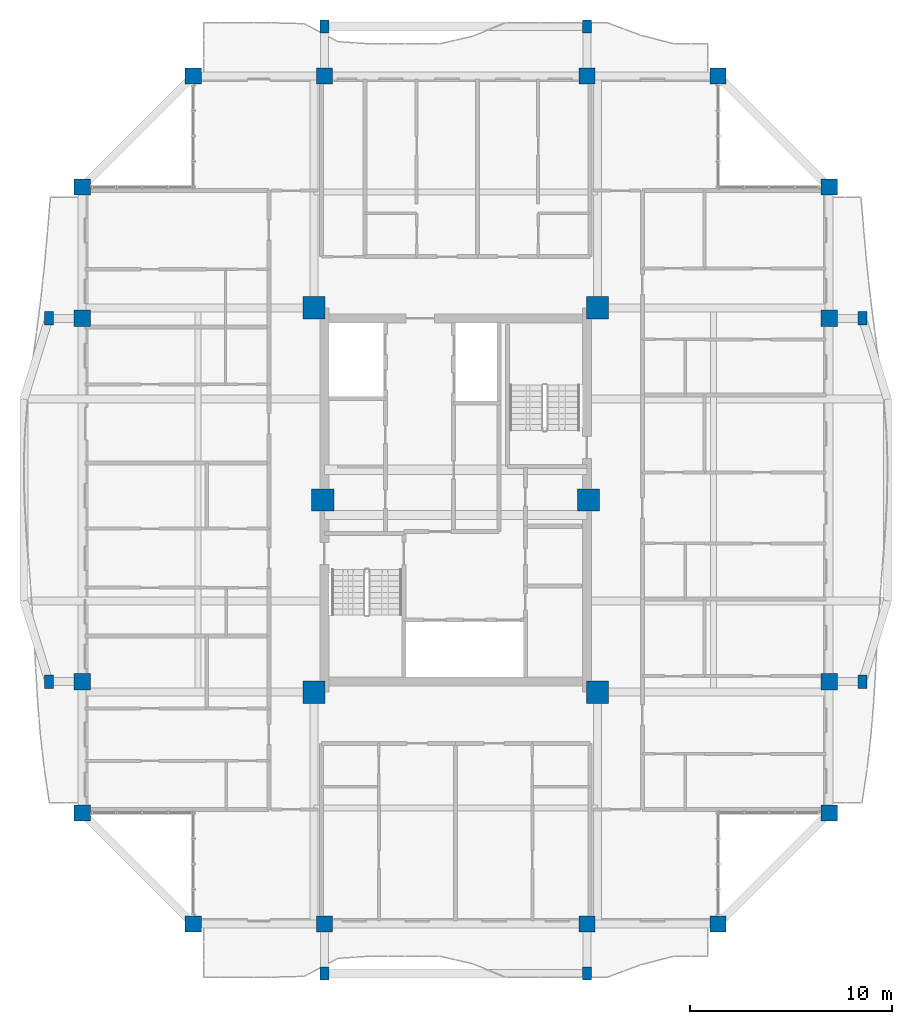
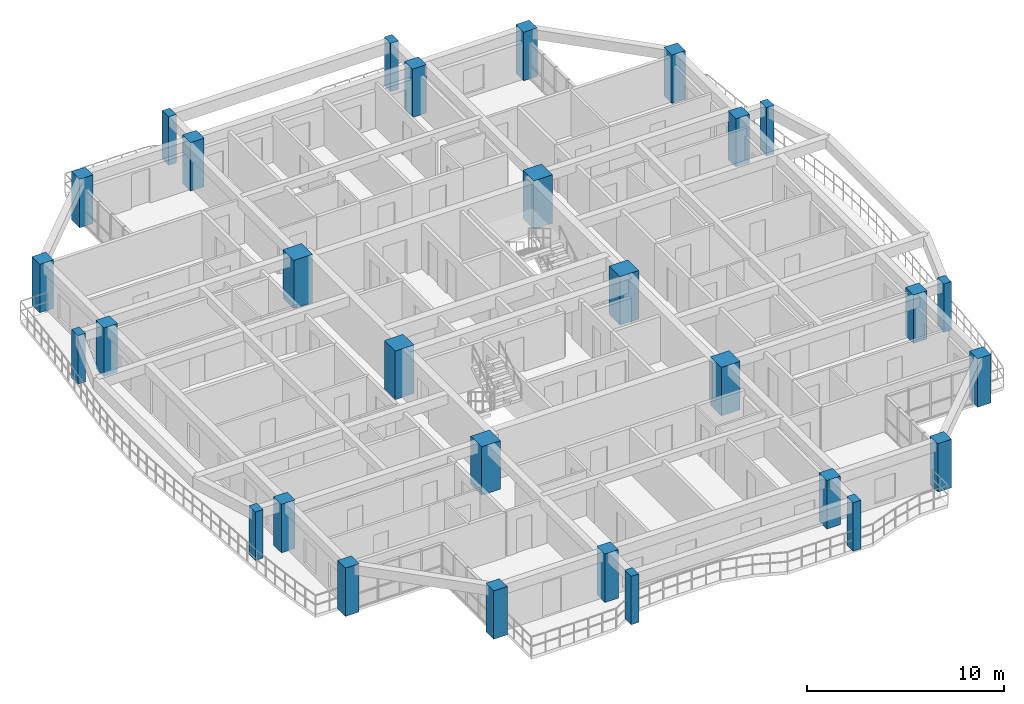
# One storey, part 1 of 22: 30 columns.
"""IFC4 building model written with IfcOpenShell, lengths in metres."""

from ifc_helpers import new_model, si_unit, direction, frame, origin, origin_2d, place, context, subcontext, project, spatial, rectangle, extrude, source, transform, mapped, material, material_profile, profile_set, type_object, element, save


model = new_model("IFC4")

# Units and contexts
model_context = context("Model", 3, precision=1e-05, world=origin(), true_north=direction((0.0, 1.0)))
body_context = subcontext(model_context, "Body", "Model", "MODEL_VIEW")
ifc_project = project(units=[si_unit("LENGTHUNIT", "METRE"), si_unit("AREAUNIT", "SQUARE_METRE"), si_unit("VOLUMEUNIT", "CUBIC_METRE"), si_unit("PLANEANGLEUNIT", "RADIAN"), si_unit("MASSUNIT", "GRAM", prefix="KILO")], contexts=[model_context])

# Site, building, storey
site_placement = place(None, origin())
site = spatial("IfcSite", under=ifc_project, at=site_placement, CompositionType="ELEMENT")
building_placement = place(site_placement, origin())
building = spatial("IfcBuilding", under=site, at=building_placement, Name="Saelheon Loggia Tower", CompositionType="ELEMENT")
storey_placement = place(building_placement, frame((0.0, 0.0, 196.60009765625)))
storey = spatial("IfcBuildingStorey", under=building, at=storey_placement, Name="L61", CompositionType="ELEMENT", Elevation=196.60009765625)

# Columns
ifc_material_1 = material(Name="Concrete C50/60", Category="concrete")
ifc_material_profile_1 = material_profile(ifc_material_1, rectangle(XDim=1.10009765625, YDim=1.10009765625, at=origin_2d()), Name="RC-1100x1100")
ifc_profile_set_1 = profile_set([ifc_material_profile_1], Name="Concrete C50/60")
column_type_1 = type_object("IfcColumnType", Name="Col_Core_RC1100", PredefinedType="COLUMN", material=ifc_profile_set_1)
shared_shape_1 = source(origin(), body_context, "Body", "SweptSolid", [
    extrude(rectangle(XDim=1.10009765625, YDim=1.10009765625, at=origin_2d()), origin(), (0.0, 0.0, 1.0), 3.0),
])
for number, where, z_axis, x_axis, name in (
    (1, (30.97998046875, 17.47998046875, 0.0), (0.0, 0.0, 1.0), (1.0, 0.0, 0.0), "L61 Core Column CR-SW"),
    (2, (45.02001953125, 17.47998046875, 0.0), (0.0, 0.0, 1.0), (1.0, 0.0, 0.0), "L61 Core Column CR-SE"),
    (3, (30.97998046875, 36.52001953125, 0.0), (0.0, 0.0, 1.0), (1.0, 0.0, 0.0), "L61 Core Column CR-NW"),
    (4, (45.02001953125, 36.52001953125, 0.0), (0.0, 0.0, 1.0), (1.0, 0.0, 0.0), "L61 Core Column CR-NE"),
    (5, (31.419921875, 27.0, 0.0), (0.0, 0.0, 1.0), (1.0, 0.0, 0.0), "L61 Core Column CR-MW"),
    (6, (44.580078125, 27.0, 0.0), (0.0, 0.0, 1.0), (1.0, 0.0, 0.0), "L61 Core Column CR-ME"),
):
    element("IfcColumn", number, at=place(storey_placement, frame(where, z_axis=z_axis, x_axis=x_axis)), inside=storey, type_object=column_type_1, Name=name, PredefinedType="COLUMN", context=body_context, shape_type="MappedRepresentation", body=[
        mapped(shared_shape_1, transform((0.0, 0.0, 0.0), scale=1.0)),
    ])
ifc_material_2 = material(Name="Concrete C45/55", Category="concrete")
ifc_material_profile_2 = material_profile(ifc_material_2, rectangle(XDim=0.800048828125, YDim=0.800048828125, at=origin_2d()), Name="RC-800x800")
ifc_profile_set_2 = profile_set([ifc_material_profile_2], Name="Concrete C45/55")
column_type_2 = type_object("IfcColumnType", Name="Col_Perim_RC800", PredefinedType="COLUMN", material=ifc_profile_set_2)
shared_shape_2 = source(origin(), body_context, "Body", "SweptSolid", [
    extrude(rectangle(XDim=0.800048828125, YDim=0.800048828125, at=origin_2d()), origin(), (0.0, 0.0, 1.0), 3.0),
])
for number, where, z_axis, x_axis, name in (
    (7, (25.0, 6.0, 0.0), (0.0, 0.0, 1.0), (1.0, 0.0, 0.0), "L61 Perimeter Column TP-S1"),
    (8, (31.5, 6.0, 0.0), (0.0, 0.0, 1.0), (1.0, 0.0, 0.0), "L61 Perimeter Column TP-SA"),
    (9, (44.5, 6.0, 0.0), (0.0, 0.0, 1.0), (1.0, 0.0, 0.0), "L61 Perimeter Column TP-SB"),
    (10, (51.0, 6.0, 0.0), (0.0, 0.0, 1.0), (1.0, 0.0, 0.0), "L61 Perimeter Column TP-S2"),
    (11, (56.5, 11.5, 0.0), (0.0, 0.0, 1.0), (1.0, 0.0, 0.0), "L61 Perimeter Column TP-E1"),
    (12, (56.5, 18.0, 0.0), (0.0, 0.0, 1.0), (1.0, 0.0, 0.0), "L61 Perimeter Column TP-EA"),
    (13, (56.5, 36.0, 0.0), (0.0, 0.0, 1.0), (1.0, 0.0, 0.0), "L61 Perimeter Column TP-EB"),
    (14, (56.5, 42.5, 0.0), (0.0, 0.0, 1.0), (1.0, 0.0, 0.0), "L61 Perimeter Column TP-E2"),
    (15, (51.0, 48.0, 0.0), (0.0, 0.0, 1.0), (1.0, 0.0, 0.0), "L61 Perimeter Column TP-N2"),
    (16, (44.5, 48.0, 0.0), (0.0, 0.0, 1.0), (1.0, 0.0, 0.0), "L61 Perimeter Column TP-NB"),
    (17, (31.5, 48.0, 0.0), (0.0, 0.0, 1.0), (1.0, 0.0, 0.0), "L61 Perimeter Column TP-NA"),
    (18, (25.0, 48.0, 0.0), (0.0, 0.0, 1.0), (1.0, 0.0, 0.0), "L61 Perimeter Column TP-N1"),
    (19, (19.5, 42.5, 0.0), (0.0, 0.0, 1.0), (1.0, 0.0, 0.0), "L61 Perimeter Column TP-W2"),
    (20, (19.5, 36.0, 0.0), (0.0, 0.0, 1.0), (1.0, 0.0, 0.0), "L61 Perimeter Column TP-WB"),
    (21, (19.5, 18.0, 0.0), (0.0, 0.0, 1.0), (1.0, 0.0, 0.0), "L61 Perimeter Column TP-WA"),
    (22, (19.5, 11.5, 0.0), (0.0, 0.0, 1.0), (1.0, 0.0, 0.0), "L61 Perimeter Column TP-W1"),
):
    element("IfcColumn", number, at=place(storey_placement, frame(where, z_axis=z_axis, x_axis=x_axis)), inside=storey, type_object=column_type_2, Name=name, PredefinedType="COLUMN", context=body_context, shape_type="MappedRepresentation", body=[
        mapped(shared_shape_2, transform((0.0, 0.0, 0.0), scale=1.0)),
    ])
ifc_material_3 = material(Name="Precast Concrete C45/55", Category="concrete")
ifc_material_profile_3 = material_profile(ifc_material_3, rectangle(XDim=0.449951171875, YDim=0.64990234375, at=origin_2d()), Name="RC-450x650")
ifc_profile_set_3 = profile_set([ifc_material_profile_3], Name="Precast Concrete C45/55")
column_type_3 = type_object("IfcColumnType", Name="Col_Loggia_Pilaster_650", PredefinedType="PILASTER", material=ifc_profile_set_3)
shared_shape_3 = source(origin(), body_context, "Body", "SweptSolid", [
    extrude(rectangle(XDim=0.449951171875, YDim=0.64990234375, at=origin_2d()), origin(), (0.0, 0.0, 1.0), 3.0),
])
for number, where, z_axis, x_axis, name in (
    (23, (31.5, 3.550048828125, 0.0), (0.0, 0.0, 1.0), (1.0, 0.0, 0.0), "L61 Loggia Frame Pilaster LP-S1"),
    (24, (44.5, 3.550048828125, 0.0), (0.0, 0.0, 1.0), (1.0, 0.0, 0.0), "L61 Loggia Frame Pilaster LP-S2"),
    (25, (31.5, 50.449951171875, 0.0), (0.0, 0.0, 1.0), (1.0, 0.0, 0.0), "L61 Loggia Frame Pilaster LP-N1"),
    (26, (44.5, 50.449951171875, 0.0), (0.0, 0.0, 1.0), (1.0, 0.0, 0.0), "L61 Loggia Frame Pilaster LP-N2"),
    (27, (58.14990234375, 18.0, 0.0), (0.0, 0.0, 1.0), (1.0, 0.0, 0.0), "L61 Loggia Frame Pilaster LP-E1"),
    (28, (58.14990234375, 36.0, 0.0), (0.0, 0.0, 1.0), (1.0, 0.0, 0.0), "L61 Loggia Frame Pilaster LP-E2"),
    (29, (17.85009765625, 18.0, 0.0), (0.0, 0.0, 1.0), (1.0, 0.0, 0.0), "L61 Loggia Frame Pilaster LP-W1"),
    (30, (17.85009765625, 36.0, 0.0), (0.0, 0.0, 1.0), (1.0, 0.0, 0.0), "L61 Loggia Frame Pilaster LP-W2"),
):
    element("IfcColumn", number, at=place(storey_placement, frame(where, z_axis=z_axis, x_axis=x_axis)), inside=storey, type_object=column_type_3, Name=name, PredefinedType="PILASTER", context=body_context, shape_type="MappedRepresentation", body=[
        mapped(shared_shape_3, transform((0.0, 0.0, 0.0), scale=1.0)),
    ])

save(model, "model.ifc")
